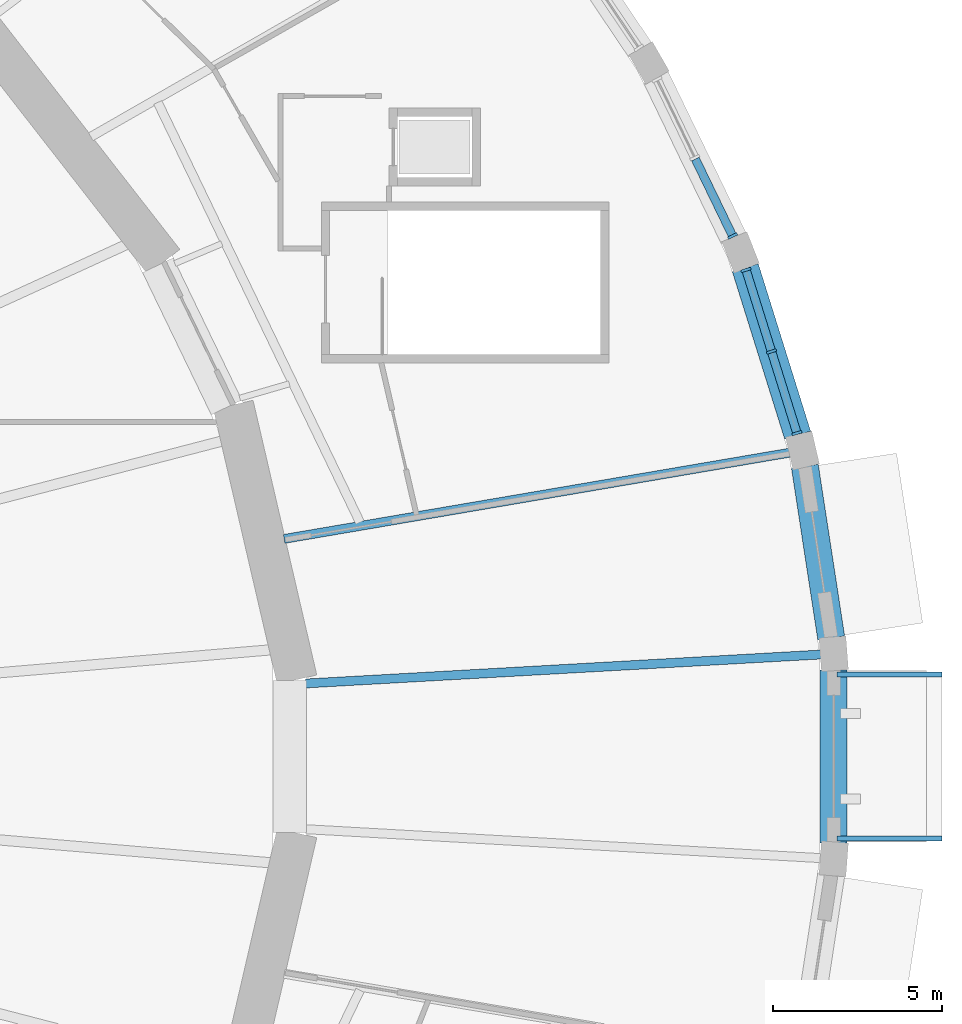
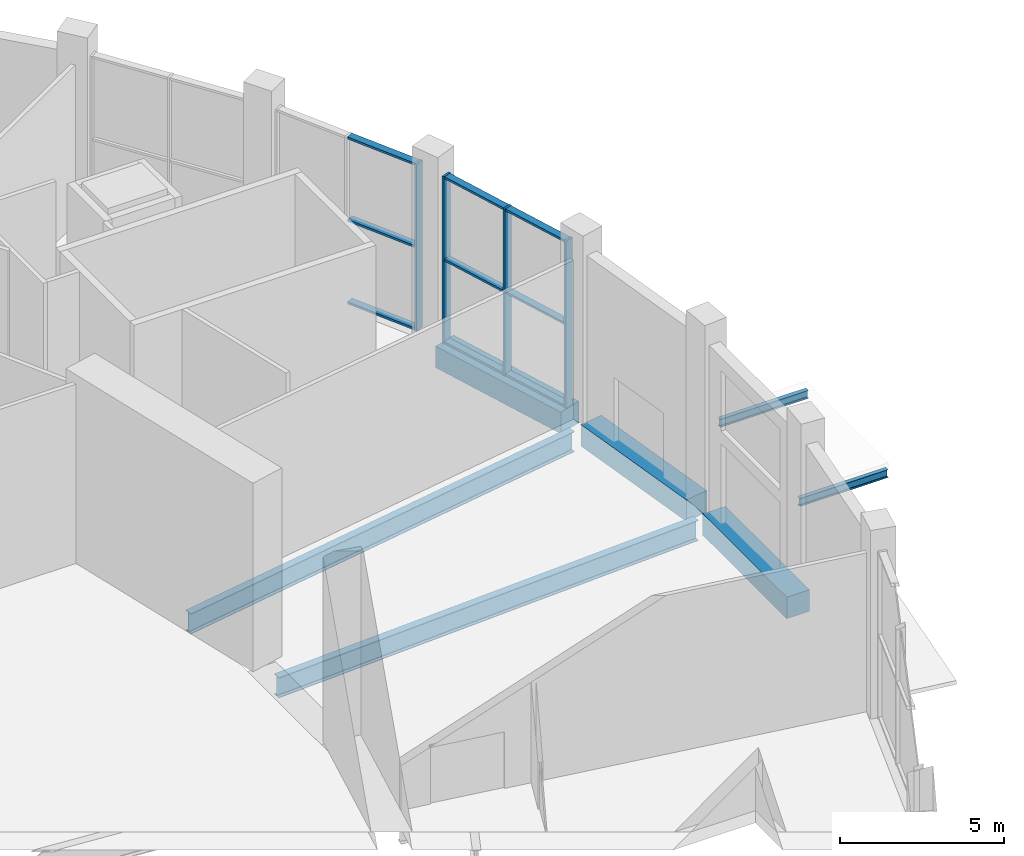
# One storey, part 10 of 33: 13 members, 7 beams, 2 elements without a shape of their own.
"""IFC4 building model written with IfcOpenShell, lengths in metres."""

from ifc_helpers import new_model, si_unit, direction, frame, origin, origin_2d, place, context, subcontext, project, spatial, rectangle, i_section, extrude, material, material_profile, profile_set, type_object, element, aggregate, save


model = new_model("IFC4")

# Units and contexts
model_context = context("Model", 3, precision=1e-05, world=origin(), true_north=direction((0.0, 1.0)))
body_context = subcontext(model_context, "Body", "Model", "MODEL_VIEW")
ifc_project = project(units=[si_unit("LENGTHUNIT", "METRE"), si_unit("AREAUNIT", "SQUARE_METRE"), si_unit("VOLUMEUNIT", "CUBIC_METRE"), si_unit("PLANEANGLEUNIT", "RADIAN"), si_unit("MASSUNIT", "GRAM", prefix="KILO")], contexts=[model_context])

# Site, building, storey
site_placement = place(None, origin())
site = spatial("IfcSite", under=ifc_project, at=site_placement, CompositionType="ELEMENT")
building_placement = place(site_placement, origin())
building = spatial("IfcBuilding", under=site, at=building_placement, Name="Halqa Exchange Tower", CompositionType="ELEMENT")
storey_placement = place(building_placement, origin())
storey = spatial("IfcBuildingStorey", under=building, at=storey_placement, Name="L00", CompositionType="ELEMENT", Elevation=0.0)

# Beams
ifc_material_1 = material(Name="Steel S355", Category="steel")
ifc_material_profile_1 = material_profile(ifc_material_1, i_section(OverallWidth=0.14990234375, OverallDepth=0.300048828125, WebThickness=0.007080078125, FlangeThickness=0.0107421875, FilletRadius=0.014892578125, at=origin_2d()), Name="IPE 300")
ifc_profile_set_1 = profile_set([ifc_material_profile_1], Name="Steel S355")
beam_type_1 = type_object("IfcBeamType", Name="Canopy beam IPE 300", PredefinedType="BEAM", material=ifc_profile_set_1)
for number, where, z_axis, x_axis, name in (
    (1, (53.984375, -2.423095703125, 3.300048828125), (1.0, 0.0, 0.0), (0.0, 1.0, 0.0), "Canopy beam 9.1"),
    (2, (53.984375, 2.423095703125, 3.300048828125), (1.0, 0.0, 0.0), (0.0, 1.0, 0.0), "Canopy beam 9.2"),
):
    element("IfcBeam", number, at=place(storey_placement, frame(where, z_axis=z_axis, x_axis=x_axis)), inside=storey, type_object=beam_type_1, Name=name, PredefinedType="BEAM", context=body_context, shape_type="SweptSolid", body=[
        extrude(i_section(OverallWidth=0.14990234375, OverallDepth=0.300048828125, WebThickness=0.007080078125, FlangeThickness=0.0107421875, FilletRadius=0.014892578125, at=origin_2d()), origin(), (0.0, 0.0, 1.0), 3.10009765625),
    ])
ifc_material_profile_2 = material_profile(ifc_material_1, i_section(OverallWidth=0.264892578125, OverallDepth=0.7529296875, WebThickness=0.01318359375, FlangeThickness=0.01708984375, FilletRadius=0.01708984375, at=origin_2d()), Name="IPE 750x147")
ifc_profile_set_2 = profile_set([ifc_material_profile_2], Name="Steel S355")
beam_type_2 = type_object("IfcBeamType", Name="Floor beam IPE 750x147", PredefinedType="BEAM", material=ifc_profile_set_2)
beam_1_placement = place(storey_placement, frame((38.2880859375, 2.151611328125, -0.826416015625), z_axis=(0.998424130563, 0.056118227964, 0.0), x_axis=(-0.056118227964, 0.998424130563, 0.0)))
element("IfcBeam", 3, at=beam_1_placement, inside=storey, type_object=beam_type_2, Name="Radial beam 1", PredefinedType="BEAM", context=body_context, shape_type="SweptSolid", body=[
    extrude(i_section(OverallWidth=0.264892578125, OverallDepth=0.7529296875, WebThickness=0.01318359375, FlangeThickness=0.01708984375, FilletRadius=0.01708984375, at=origin_2d()), origin(), (0.0, 0.0, 1.0), 15.248291015625),
])
beam_2_placement = place(storey_placement, frame((37.654296875, 6.421875, -0.826416015625), z_axis=(0.985764762639, 0.168130403968, 0.0), x_axis=(-0.168130403968, 0.985764762639, 0.0)))
element("IfcBeam", 4, at=beam_2_placement, inside=storey, type_object=beam_type_2, Name="Radial beam 2", PredefinedType="BEAM", context=body_context, shape_type="SweptSolid", body=[
    extrude(i_section(OverallWidth=0.264892578125, OverallDepth=0.7529296875, WebThickness=0.01318359375, FlangeThickness=0.01708984375, FilletRadius=0.01708984375, at=origin_2d()), origin(), (0.0, 0.0, 1.0), 15.156982421875),
])
ifc_material_2 = material(Name="Concrete C60/75", Category="concrete")
ifc_material_profile_3 = material_profile(ifc_material_2, rectangle(XDim=0.800048828125, YDim=0.800048828125, at=origin_2d()), Name="800 x 800")
ifc_profile_set_3 = profile_set([ifc_material_profile_3], Name="Concrete C60/75")
beam_type_3 = type_object("IfcBeamType", Name="RC podium edge beam 800 x 800 C60/75", PredefinedType="SPANDREL", material=ifc_profile_set_3)
beam_3_placement = place(storey_placement, frame((53.812744140625, 3.495361328125, -0.39990234375), z_axis=(-0.151767505705, 0.988416220128, 0.0), x_axis=(-0.988416220128, -0.151767505705, 0.0)))
element("IfcBeam", 5, at=beam_3_placement, inside=storey, type_object=beam_type_3, Name="Podium edge beam 1", PredefinedType="SPANDREL", context=body_context, shape_type="SweptSolid", body=[
    extrude(rectangle(XDim=0.800048828125, YDim=0.800048828125, at=origin_2d()), origin(), (0.0, 0.0, 1.0), 5.1298828125),
])
beam_4_placement = place(storey_placement, frame((52.821044921875, 9.4853515625, -0.39990234375), z_axis=(-0.298331338153, 0.954462368392, 0.0), x_axis=(-0.954462368392, -0.298331338153, 0.0)))
element("IfcBeam", 6, at=beam_4_placement, inside=storey, type_object=beam_type_3, Name="Podium edge beam 2", PredefinedType="SPANDREL", context=body_context, shape_type="SweptSolid", body=[
    extrude(rectangle(XDim=0.800048828125, YDim=0.800048828125, at=origin_2d()), origin(), (0.0, 0.0, 1.0), 5.180908203125),
])
beam_5_placement = place(storey_placement, frame((53.884521484375, -2.5556640625, -0.39990234375), z_axis=(0.0, 1.0, 0.0), x_axis=(-1.0, 0.0, 0.0)))
element("IfcBeam", 7, at=beam_5_placement, inside=storey, type_object=beam_type_3, Name="Podium edge beam 48", PredefinedType="SPANDREL", context=body_context, shape_type="SweptSolid", body=[
    extrude(rectangle(XDim=0.800048828125, YDim=0.800048828125, at=origin_2d()), origin(), (0.0, 0.0, 1.0), 5.111328125),
])

# Curtain wall, members
ifc_material_3 = material(Name="Anodised aluminium and clear glass", Category="aluminium")
curtain_wall_type = type_object("IfcCurtainWallType", Name="Station concourse glazing", PredefinedType="NOTDEFINED", material=ifc_material_3)
curtain_wall_1_placement = place(storey_placement, origin())
curtain_wall_1 = element("IfcCurtainWall", 8, at=curtain_wall_1_placement, inside=storey, type_object=curtain_wall_type, Name="Station concourse glazing run P2", PredefinedType="NOTDEFINED")
ifc_material_4 = material(Name="Anodised aluminium", Category="aluminium")
ifc_material_profile_4 = material_profile(ifc_material_4, rectangle(XDim=0.300048828125, YDim=0.080078125, at=origin_2d()), Name="AL 80x300")
ifc_profile_set_4 = profile_set([ifc_material_profile_4], Name="Anodised aluminium")
member_type_1 = type_object("IfcMemberType", Name="Station concourse glazing mullion 80 x 300", PredefinedType="MULLION", material=ifc_profile_set_4)
member_1_placement = place(storey_placement, frame((52.80126953125, 9.548095703125, 0.0), z_axis=(0.0, 0.0, 1.0), x_axis=(-0.95447130463, -0.298302746613, 0.0)))
member_1 = element("IfcMember", 9, at=member_1_placement, type_object=member_type_1, Name="P2 mullion 1", PredefinedType="MULLION", context=body_context, shape_type="SweptSolid", body=[
    extrude(rectangle(XDim=0.300048828125, YDim=0.080078125, at=origin_2d()), origin(), (0.0, 0.0, 1.0), 6.199951171875),
])
member_2_placement = place(storey_placement, frame((52.04833984375, 11.957763671875, 0.0), z_axis=(0.0, 0.0, 1.0), x_axis=(-0.95447130463, -0.298302746613, 0.0)))
member_2 = element("IfcMember", 10, at=member_2_placement, type_object=member_type_1, Name="P2 mullion 2", PredefinedType="MULLION", context=body_context, shape_type="SweptSolid", body=[
    extrude(rectangle(XDim=0.300048828125, YDim=0.080078125, at=origin_2d()), origin(), (0.0, 0.0, 1.0), 6.199951171875),
])
member_3_placement = place(storey_placement, frame((51.295166015625, 14.3671875, 0.0), z_axis=(0.0, 0.0, 1.0), x_axis=(-0.95447130463, -0.298302746613, 0.0)))
member_3 = element("IfcMember", 11, at=member_3_placement, type_object=member_type_1, Name="P2 mullion 3", PredefinedType="MULLION", context=body_context, shape_type="SweptSolid", body=[
    extrude(rectangle(XDim=0.300048828125, YDim=0.080078125, at=origin_2d()), origin(), (0.0, 0.0, 1.0), 6.199951171875),
])

# Curtain wall, member
curtain_wall_2_placement = place(storey_placement, origin())
curtain_wall_2 = element("IfcCurtainWall", 12, at=curtain_wall_2_placement, inside=storey, type_object=curtain_wall_type, Name="Station concourse glazing run P3", PredefinedType="NOTDEFINED")
member_4_placement = place(storey_placement, frame((50.8994140625, 15.368896484375, 0.0), z_axis=(0.0, 0.0, 1.0), x_axis=(-0.90043534892, -0.434989864727, 0.0)))
member_4 = element("IfcMember", 13, at=member_4_placement, type_object=member_type_1, Name="P3 mullion 1", PredefinedType="MULLION", context=body_context, shape_type="SweptSolid", body=[
    extrude(rectangle(XDim=0.300048828125, YDim=0.080078125, at=origin_2d()), origin(), (0.0, 0.0, 1.0), 6.199951171875),
])

# Member
ifc_material_profile_5 = material_profile(ifc_material_4, rectangle(XDim=0.25, YDim=0.080078125, at=origin_2d()), Name="AL 80x250")
ifc_profile_set_5 = profile_set([ifc_material_profile_5], Name="Anodised aluminium")
member_type_2 = type_object("IfcMemberType", Name="Station concourse glazing transom 80 x 250", PredefinedType="USERDEFINED", material=ifc_profile_set_5)
member_5_placement = place(storey_placement, frame((52.78955078125, 9.586181640625, 0.0400390625), z_axis=(-0.298314799128, 0.954467537751, 0.0), x_axis=(-0.954467537751, -0.298314799128, 0.0)))
member_5 = element("IfcMember", 14, at=member_5_placement, type_object=member_type_2, Name="P2 transom 1.1", ObjectType="TRANSOM", PredefinedType="USERDEFINED", context=body_context, shape_type="SweptSolid", body=[
    extrude(rectangle(XDim=0.25, YDim=0.080078125, at=origin_2d()), origin(), (0.0, 0.0, 1.0), 2.444580078125),
])

member_6_placement = place(storey_placement, frame((52.78955078125, 9.586181640625, 3.10009765625), z_axis=(-0.298314799128, 0.954467537751, 0.0), x_axis=(-0.954467537751, -0.298314799128, 0.0)))
member_6 = element("IfcMember", 15, at=member_6_placement, type_object=member_type_2, Name="P2 transom 1.2", ObjectType="TRANSOM", PredefinedType="USERDEFINED", context=body_context, shape_type="SweptSolid", body=[
    extrude(rectangle(XDim=0.25, YDim=0.080078125, at=origin_2d()), origin(), (0.0, 0.0, 1.0), 2.444580078125),
])

member_7_placement = place(storey_placement, frame((52.78955078125, 9.586181640625, 6.159912109375), z_axis=(-0.298314799128, 0.954467537751, 0.0), x_axis=(-0.954467537751, -0.298314799128, 0.0)))
member_7 = element("IfcMember", 16, at=member_7_placement, type_object=member_type_2, Name="P2 transom 1.3", ObjectType="TRANSOM", PredefinedType="USERDEFINED", context=body_context, shape_type="SweptSolid", body=[
    extrude(rectangle(XDim=0.25, YDim=0.080078125, at=origin_2d()), origin(), (0.0, 0.0, 1.0), 2.444580078125),
])

member_8_placement = place(storey_placement, frame((52.036376953125, 11.995849609375, 0.0400390625), z_axis=(-0.298314799128, 0.954467537751, 0.0), x_axis=(-0.954467537751, -0.298314799128, 0.0)))
member_8 = element("IfcMember", 17, at=member_8_placement, type_object=member_type_2, Name="P2 transom 2.1", ObjectType="TRANSOM", PredefinedType="USERDEFINED", context=body_context, shape_type="SweptSolid", body=[
    extrude(rectangle(XDim=0.25, YDim=0.080078125, at=origin_2d()), origin(), (0.0, 0.0, 1.0), 2.444580078125),
])

member_9_placement = place(storey_placement, frame((52.036376953125, 11.995849609375, 3.10009765625), z_axis=(-0.298314799128, 0.954467537751, 0.0), x_axis=(-0.954467537751, -0.298314799128, 0.0)))
member_9 = element("IfcMember", 18, at=member_9_placement, type_object=member_type_2, Name="P2 transom 2.2", ObjectType="TRANSOM", PredefinedType="USERDEFINED", context=body_context, shape_type="SweptSolid", body=[
    extrude(rectangle(XDim=0.25, YDim=0.080078125, at=origin_2d()), origin(), (0.0, 0.0, 1.0), 2.444580078125),
])

member_10_placement = place(storey_placement, frame((52.036376953125, 11.995849609375, 6.159912109375), z_axis=(-0.298314799128, 0.954467537751, 0.0), x_axis=(-0.954467537751, -0.298314799128, 0.0)))
member_10 = element("IfcMember", 19, at=member_10_placement, type_object=member_type_2, Name="P2 transom 2.3", ObjectType="TRANSOM", PredefinedType="USERDEFINED", context=body_context, shape_type="SweptSolid", body=[
    extrude(rectangle(XDim=0.25, YDim=0.080078125, at=origin_2d()), origin(), (0.0, 0.0, 1.0), 2.444580078125),
])

aggregate(curtain_wall_1, [member_1, member_2, member_3, member_5, member_6, member_7, member_8, member_9, member_10])

member_11_placement = place(storey_placement, frame((50.8818359375, 15.40478515625, 0.0400390625), z_axis=(-0.434960430971, 0.900449567433, 0.0), x_axis=(-0.900449567433, -0.434960430971, 0.0)))
member_11 = element("IfcMember", 20, at=member_11_placement, type_object=member_type_2, Name="P3 transom 1.1", ObjectType="TRANSOM", PredefinedType="USERDEFINED", context=body_context, shape_type="SweptSolid", body=[
    extrude(rectangle(XDim=0.25, YDim=0.080078125, at=origin_2d()), origin(), (0.0, 0.0, 1.0), 2.487060546875),
])

member_12_placement = place(storey_placement, frame((50.8818359375, 15.40478515625, 3.10009765625), z_axis=(-0.434960430971, 0.900449567433, 0.0), x_axis=(-0.900449567433, -0.434960430971, 0.0)))
member_12 = element("IfcMember", 21, at=member_12_placement, type_object=member_type_2, Name="P3 transom 1.2", ObjectType="TRANSOM", PredefinedType="USERDEFINED", context=body_context, shape_type="SweptSolid", body=[
    extrude(rectangle(XDim=0.25, YDim=0.080078125, at=origin_2d()), origin(), (0.0, 0.0, 1.0), 2.487060546875),
])

member_13_placement = place(storey_placement, frame((50.8818359375, 15.40478515625, 6.159912109375), z_axis=(-0.434960430971, 0.900449567433, 0.0), x_axis=(-0.900449567433, -0.434960430971, 0.0)))
member_13 = element("IfcMember", 22, at=member_13_placement, type_object=member_type_2, Name="P3 transom 1.3", ObjectType="TRANSOM", PredefinedType="USERDEFINED", context=body_context, shape_type="SweptSolid", body=[
    extrude(rectangle(XDim=0.25, YDim=0.080078125, at=origin_2d()), origin(), (0.0, 0.0, 1.0), 2.487060546875),
])

aggregate(curtain_wall_2, [member_4, member_11, member_12, member_13])

save(model, "model.ifc")
